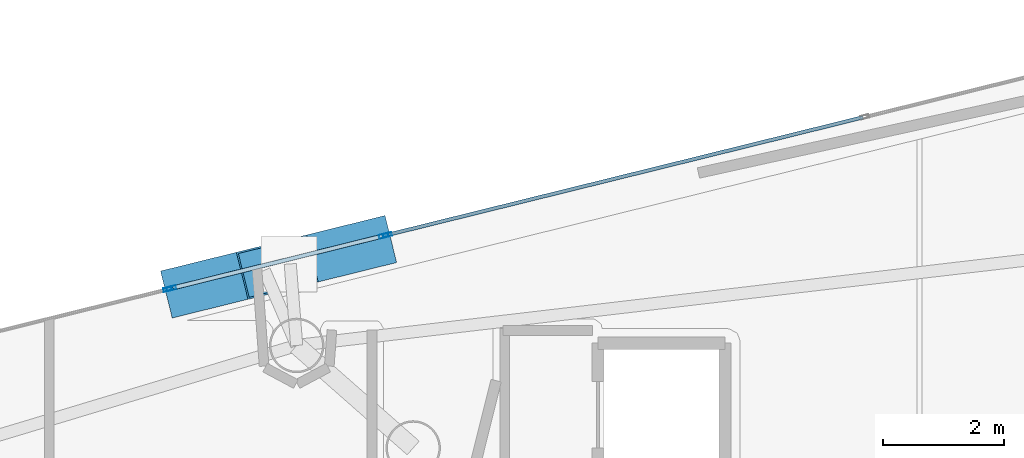
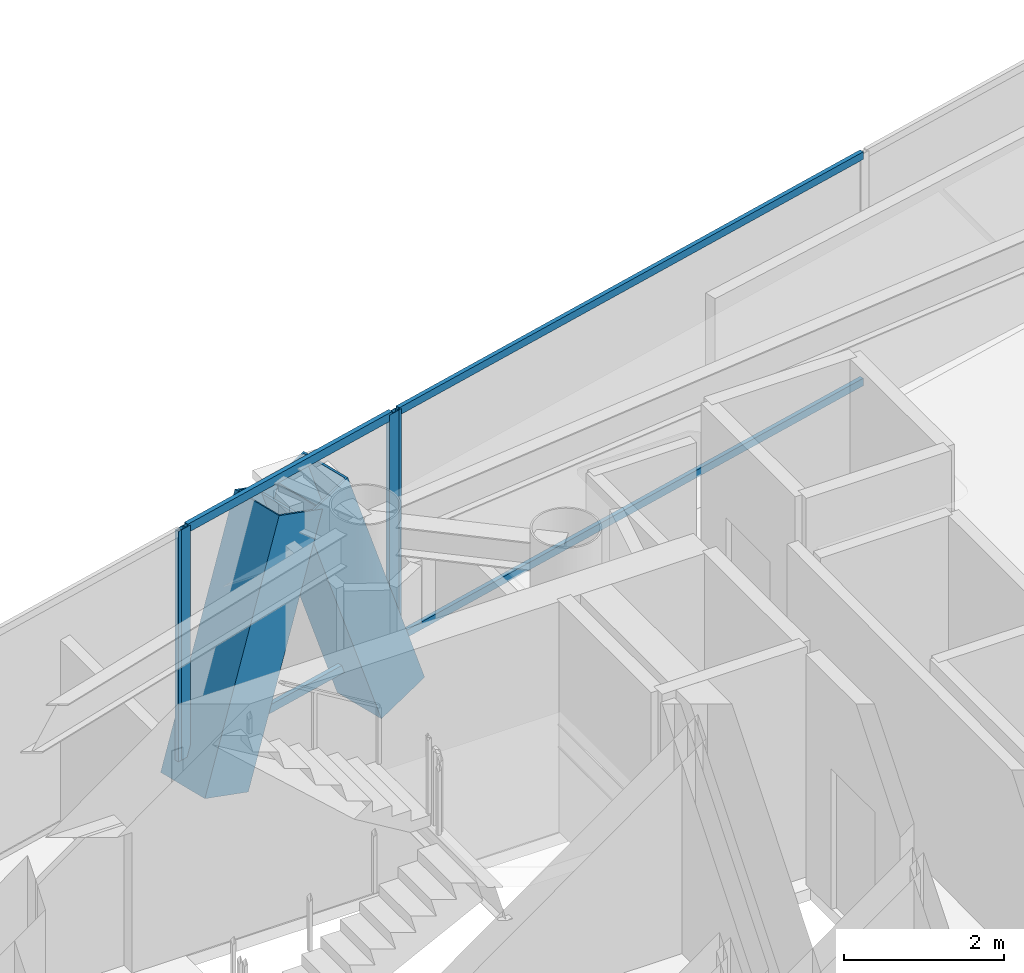
# One storey, part 14 of 21: 10 members, 3 elements without a shape of their own.
"""IFC4 building model written with IfcOpenShell, lengths in metres."""

from ifc_helpers import new_model, si_unit, direction, frame, origin, origin_2d, place, context, subcontext, project, spatial, hollow_rectangle, extrude, material, layer, layer_set, material_profile, profile_set, type_object, element, aggregate, save


model = new_model("IFC4")

# Units and contexts
model_context = context("Model", 3, precision=1e-05, world=origin(), true_north=direction((0.0, 1.0)))
body_context = subcontext(model_context, "Body", "Model", "MODEL_VIEW")
ifc_project = project(units=[si_unit("LENGTHUNIT", "METRE"), si_unit("AREAUNIT", "SQUARE_METRE"), si_unit("VOLUMEUNIT", "CUBIC_METRE"), si_unit("PLANEANGLEUNIT", "RADIAN"), si_unit("MASSUNIT", "GRAM", prefix="KILO")], contexts=[model_context])

# Site, building, storey
site_placement = place(None, origin())
site = spatial("IfcSite", under=ifc_project, at=site_placement, CompositionType="ELEMENT")
building_placement = place(site_placement, origin())
building = spatial("IfcBuilding", under=site, at=building_placement, Name="Qianvela Tower", CompositionType="ELEMENT")
storey_placement = place(building_placement, frame((0.0, 0.0, 310.199951171875)))
storey = spatial("IfcBuildingStorey", under=building, at=storey_placement, Name="L80", CompositionType="ELEMENT", Elevation=310.199951171875)

# Curtain wall, members
ifc_material_1 = material(Name="Anodised Architectural Aluminium and Insulated Spandrel Panel", Category="aluminium")
ifc_layer_1 = layer(ifc_material_1, 0.179931640625)
ifc_layer_set_1 = layer_set([ifc_layer_1], Name="Anodised Architectural Aluminium and Insulated Spandrel Panel")
curtain_wall_type_1 = type_object("IfcCurtainWallType", Name="CW-BRACEBAY", PredefinedType="USERDEFINED", material=ifc_layer_set_1)
curtain_wall_1_placement = place(storey_placement, origin())
curtain_wall_1 = element("IfcCurtainWall", 1, at=curtain_wall_1_placement, inside=storey, type_object=curtain_wall_type_1, Name="L80 CW-BRACEBAY Curtain Wall 02B", ObjectType="CURTAIN_WALL_SYSTEM", PredefinedType="USERDEFINED")
ifc_material_2 = material(Name="Anodised Architectural Aluminium 6063-T6", Category="aluminium")
ifc_material_profile_1 = material_profile(ifc_material_2, hollow_rectangle(XDim=0.06494140625, YDim=0.159912109375, WallThickness=0.0048828125, at=origin_2d()), Name="ALU-MULL-65x160")
ifc_profile_set_1 = profile_set([ifc_material_profile_1], Name="Anodised Architectural Aluminium 6063-T6")
member_type_1 = type_object("IfcMemberType", Name="CW-BRACEBAY-MULL", PredefinedType="MULLION", material=ifc_profile_set_1)
member_1_placement = place(storey_placement, frame((37.91455078125, 37.053955078125, 0.0), z_axis=(0.0, 0.0, 1.0), x_axis=(0.240002800137, -0.970772195691, 0.0)))
member_1 = element("IfcMember", 2, at=member_1_placement, type_object=member_type_1, Name="CW-9 mullion 1", PredefinedType="MULLION", context=body_context, shape_type="SweptSolid", body=[
    extrude(hollow_rectangle(XDim=0.06494140625, YDim=0.159912109375, WallThickness=0.0048828125, at=origin_2d()), origin(), (0.0, 0.0, 1.0), 3.52001953125),
])
member_2_placement = place(storey_placement, frame((34.405029296875, 36.186279296875, 0.0), z_axis=(0.0, 0.0, 1.0), x_axis=(0.240002800137, -0.970772195691, 0.0)))
member_2 = element("IfcMember", 3, at=member_2_placement, type_object=member_type_1, Name="CW-9 mullion 2", PredefinedType="MULLION", context=body_context, shape_type="SweptSolid", body=[
    extrude(hollow_rectangle(XDim=0.06494140625, YDim=0.159912109375, WallThickness=0.0048828125, at=origin_2d()), origin(), (0.0, 0.0, 1.0), 3.52001953125),
])
ifc_material_3 = material(Name="Anodised Architectural Aluminium 6063-T6", Category="aluminium")
ifc_material_profile_2 = material_profile(ifc_material_3, hollow_rectangle(XDim=0.06494140625, YDim=0.1298828125, WallThickness=0.00439453125, at=origin_2d()), Name="ALU-TRAN-65x130")
ifc_profile_set_2 = profile_set([ifc_material_profile_2], Name="Anodised Architectural Aluminium 6063-T6")
member_type_2 = type_object("IfcMemberType", Name="CW-BRACEBAY-TRAN", PredefinedType="USERDEFINED", material=ifc_profile_set_2)
member_3_placement = place(storey_placement, frame((37.8828125, 37.046142578125, 0.032470703125), z_axis=(-0.970766328412, -0.240026531077, 0.0), x_axis=(0.240026531077, -0.970766328412, 0.0)))
member_3 = element("IfcMember", 4, at=member_3_placement, type_object=member_type_2, Name="CW-9 transom 1.1", ObjectType="TRANSOM", PredefinedType="USERDEFINED", context=body_context, shape_type="SweptSolid", body=[
    extrude(hollow_rectangle(XDim=0.06494140625, YDim=0.1298828125, WallThickness=0.00439453125, at=origin_2d()), origin(), (0.0, 0.0, 1.0), 3.5498046875),
])
member_4_placement = place(storey_placement, frame((37.8828125, 37.046142578125, 3.487548828125), z_axis=(-0.970766328412, -0.240026531077, 0.0), x_axis=(0.240026531077, -0.970766328412, 0.0)))
member_4 = element("IfcMember", 5, at=member_4_placement, type_object=member_type_2, Name="CW-9 transom 1.2", ObjectType="TRANSOM", PredefinedType="USERDEFINED", context=body_context, shape_type="SweptSolid", body=[
    extrude(hollow_rectangle(XDim=0.06494140625, YDim=0.1298828125, WallThickness=0.00439453125, at=origin_2d()), origin(), (0.0, 0.0, 1.0), 3.5498046875),
])
aggregate(curtain_wall_1, [member_1, member_2, member_3, member_4])

# Curtain wall, member
ifc_material_4 = material(Name="Anodised Architectural Aluminium and Low-E Glass", Category="aluminium")
ifc_layer_2 = layer(ifc_material_4, 0.14990234375)
ifc_layer_set_2 = layer_set([ifc_layer_2], Name="Anodised Architectural Aluminium and Low-E Glass")
curtain_wall_type_2 = type_object("IfcCurtainWallType", Name="CW-COLIV-Z78", PredefinedType="USERDEFINED", material=ifc_layer_set_2)
curtain_wall_2_placement = place(storey_placement, origin())
curtain_wall_2 = element("IfcCurtainWall", 6, at=curtain_wall_2_placement, inside=storey, type_object=curtain_wall_type_2, Name="L80 CW-COLIV-Z78 Curtain Wall 02A", ObjectType="CURTAIN_WALL_SYSTEM", PredefinedType="USERDEFINED")
ifc_material_5 = material(Name="Anodised Architectural Aluminium 6063-T6", Category="aluminium")
ifc_material_profile_3 = material_profile(ifc_material_5, hollow_rectangle(XDim=0.06005859375, YDim=0.139892578125, WallThickness=0.00439453125, at=origin_2d()), Name="ALU-MULL-60x140")
ifc_profile_set_3 = profile_set([ifc_material_profile_3], Name="Anodised Architectural Aluminium 6063-T6")
member_type_3 = type_object("IfcMemberType", Name="CW-COLIV-Z78-MULL", PredefinedType="MULLION", material=ifc_profile_set_3)
member_5_placement = place(storey_placement, frame((37.97509765625, 37.06884765625, 0.0), z_axis=(0.0, 0.0, 1.0), x_axis=(0.240005754043, -0.970771465396, 0.0)))
member_5 = element("IfcMember", 7, at=member_5_placement, type_object=member_type_3, Name="CW-6 mullion 3", PredefinedType="MULLION", context=body_context, shape_type="SweptSolid", body=[
    extrude(hollow_rectangle(XDim=0.06005859375, YDim=0.139892578125, WallThickness=0.00439453125, at=origin_2d()), origin(), (0.0, 0.0, 1.0), 3.52001953125),
])

curtain_wall_3_placement = place(storey_placement, origin())
curtain_wall_3 = element("IfcCurtainWall", 8, at=curtain_wall_3_placement, inside=storey, type_object=curtain_wall_type_2, Name="L80 CW-COLIV-Z78 Curtain Wall 02C", ObjectType="CURTAIN_WALL_SYSTEM", PredefinedType="USERDEFINED")
member_6_placement = place(storey_placement, frame((34.344482421875, 36.17138671875, 0.0), z_axis=(0.0, 0.0, 1.0), x_axis=(0.240007186942, -0.970771111136, 0.0)))
member_6 = element("IfcMember", 9, at=member_6_placement, type_object=member_type_3, Name="CW-6 mullion 1", PredefinedType="MULLION", context=body_context, shape_type="SweptSolid", body=[
    extrude(hollow_rectangle(XDim=0.06005859375, YDim=0.139892578125, WallThickness=0.00439453125, at=origin_2d()), origin(), (0.0, 0.0, 1.0), 3.52001953125),
])
aggregate(curtain_wall_3, [member_6])

# Member
ifc_material_6 = material(Name="Anodised Architectural Aluminium 6063-T6", Category="aluminium")
ifc_material_profile_4 = material_profile(ifc_material_6, hollow_rectangle(XDim=0.06005859375, YDim=0.114990234375, WallThickness=0.00390625, at=origin_2d()), Name="ALU-TRAN-60x115")
ifc_profile_set_4 = profile_set([ifc_material_profile_4], Name="Anodised Architectural Aluminium 6063-T6")
member_type_4 = type_object("IfcMemberType", Name="CW-COLIV-Z78-TRAN", PredefinedType="USERDEFINED", material=ifc_profile_set_4)
member_7_placement = place(storey_placement, frame((45.82861328125, 39.010498046875, 0.030029296875), z_axis=(-0.970775260801, -0.239990401926, 0.0), x_axis=(0.239990401926, -0.970775260801, 0.0)))
member_7 = element("IfcMember", 10, at=member_7_placement, type_object=member_type_4, Name="CW-6 transom 2.1", ObjectType="TRANSOM", PredefinedType="USERDEFINED", context=body_context, shape_type="SweptSolid", body=[
    extrude(hollow_rectangle(XDim=0.06005859375, YDim=0.114990234375, WallThickness=0.00390625, at=origin_2d()), origin(), (0.0, 0.0, 1.0), 8.06005859375),
])

member_8_placement = place(storey_placement, frame((45.82861328125, 39.010498046875, 3.489990234375), z_axis=(-0.970775260801, -0.239990401926, 0.0), x_axis=(0.239990401926, -0.970775260801, 0.0)))
member_8 = element("IfcMember", 11, at=member_8_placement, type_object=member_type_4, Name="CW-6 transom 2.2", ObjectType="TRANSOM", PredefinedType="USERDEFINED", context=body_context, shape_type="SweptSolid", body=[
    extrude(hollow_rectangle(XDim=0.06005859375, YDim=0.114990234375, WallThickness=0.00390625, at=origin_2d()), origin(), (0.0, 0.0, 1.0), 8.06005859375),
])

aggregate(curtain_wall_2, [member_5, member_7, member_8])

# Members
ifc_material_7 = material(Name="Steel Q420GJC", Category="steel")
ifc_material_profile_5 = material_profile(ifc_material_7, hollow_rectangle(XDim=0.800048828125, YDim=0.800048828125, WallThickness=0.028076171875, at=origin_2d()), Name="MBOX-800x800x28")
ifc_profile_set_5 = profile_set([ifc_material_profile_5], Name="Steel Q420GJC")
member_type_5 = type_object("IfcMemberType", Name="MBR-MBRACE-800", PredefinedType="BRACE", material=ifc_profile_set_5)
member_9_placement = place(storey_placement, frame((37.665771484375, 36.909912109375, -0.48193359375), z_axis=(-0.329515918943, -0.08143245162, 0.9406317106), x_axis=(0.239910182064, -0.970795088854, 0.0)))
element("IfcMember", 12, at=member_9_placement, inside=storey, type_object=member_type_5, Name="L80 Tier 13 Exterior Mega-Brace F1A", PredefinedType="BRACE", context=body_context, shape_type="SweptSolid", body=[
    extrude(hollow_rectangle(XDim=0.800048828125, YDim=0.800048828125, WallThickness=0.028076171875, at=origin_2d()), origin(), (0.0, 0.0, 1.0), 3.93359375),
])
member_10_placement = place(storey_placement, frame((34.690673828125, 36.174560546875, -0.48193359375), z_axis=(0.319518180043, 0.078944916949, 0.944285885053), x_axis=(-0.239862023209, 0.970806988964, 0.0)))
element("IfcMember", 13, at=member_10_placement, inside=storey, type_object=member_type_5, Name="L80 Tier 13 Exterior Mega-Brace F1B", PredefinedType="BRACE", context=body_context, shape_type="SweptSolid", body=[
    extrude(hollow_rectangle(XDim=0.800048828125, YDim=0.800048828125, WallThickness=0.028076171875, at=origin_2d()), origin(), (0.0, 0.0, 1.0), 3.918212890625),
])

save(model, "model.ifc")
